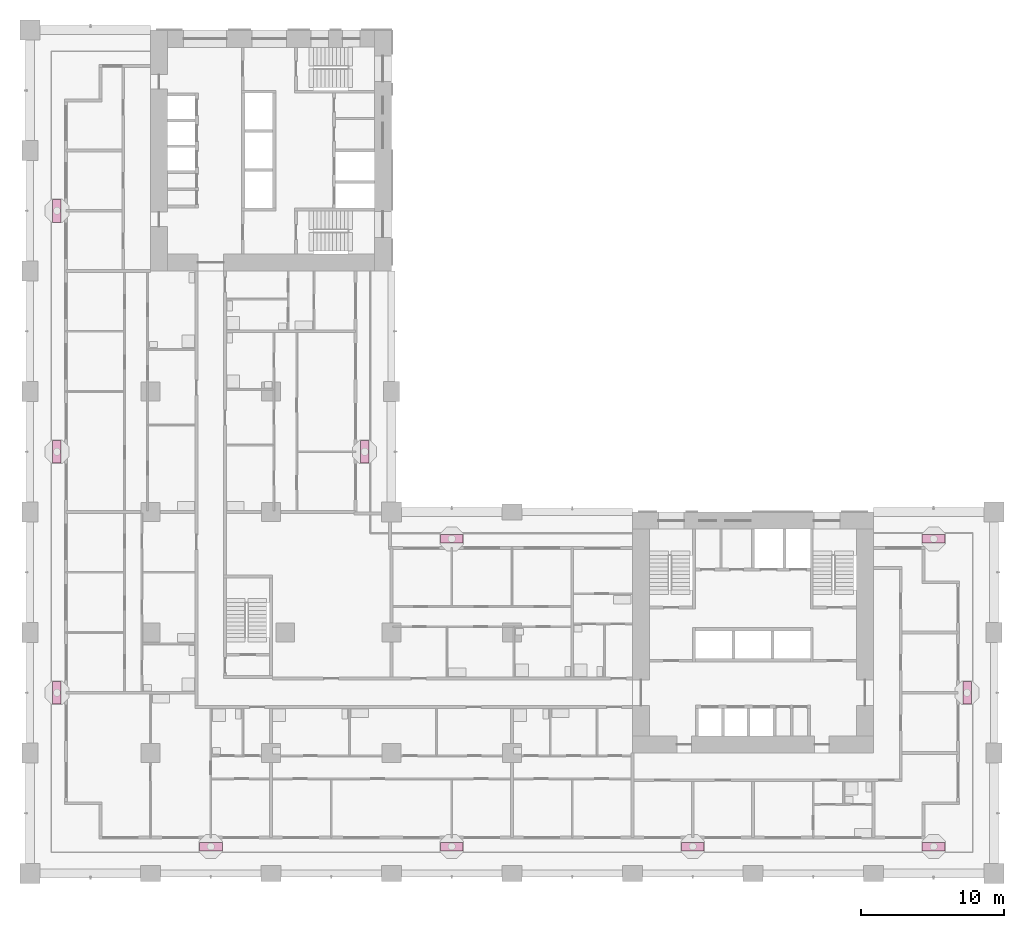
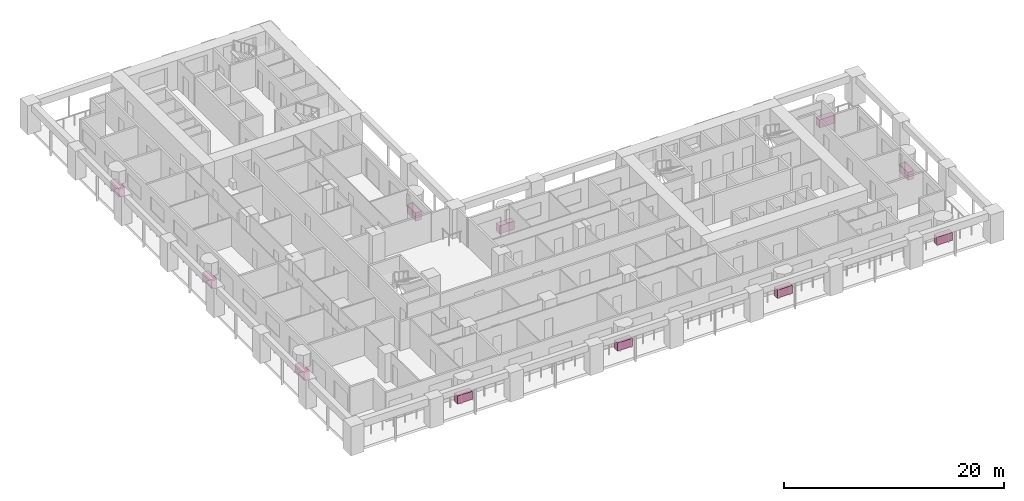
# One storey, part 19 of 20: 11 furniture elements.
"""IFC4 building model written with IfcOpenShell, lengths in metres."""

from ifc_helpers import new_model, si_unit, direction, frame, origin, origin_2d, place, context, subcontext, project, spatial, rectangle, extrude, material, element, save


model = new_model("IFC4")

# Units and contexts
model_context = context("Model", 3, precision=1e-05, world=origin(), true_north=direction((0.0, 1.0)))
body_context = subcontext(model_context, "Body", "Model", "MODEL_VIEW")
ifc_project = project(units=[si_unit("LENGTHUNIT", "METRE"), si_unit("AREAUNIT", "SQUARE_METRE"), si_unit("VOLUMEUNIT", "CUBIC_METRE"), si_unit("PLANEANGLEUNIT", "RADIAN"), si_unit("MASSUNIT", "GRAM", prefix="KILO")], contexts=[model_context])

# Site, building, storey
site_placement = place(None, origin())
site = spatial("IfcSite", under=ifc_project, at=site_placement, CompositionType="ELEMENT")
building_placement = place(site_placement, origin())
building = spatial("IfcBuilding", under=site, at=building_placement, Name="Vermilion Gate Residences", CompositionType="ELEMENT")
storey_placement = place(building_placement, frame((0.0, 0.0, 39.199951171875)))
storey = spatial("IfcBuildingStorey", under=building, at=storey_placement, Name="L08", CompositionType="ELEMENT", Elevation=39.199951171875)

# Furniture
ifc_material = material(Name="Terracotta planter", Category="masonry")
for number, where, z_axis, x_axis, name in (
    (1, (12.60009765625, 1.875, 0.0), (0.0, 0.0, 1.0), (1.0, 0.0, 0.0), "PLANTER"),
    (2, (29.39990234375, 1.875, 0.0), (0.0, 0.0, 1.0), (1.0, 0.0, 0.0), "PLANTER"),
    (3, (46.199951171875, 1.875, 0.0), (0.0, 0.0, 1.0), (1.0, 0.0, 0.0), "PLANTER"),
    (4, (63.0, 1.875, 0.0), (0.0, 0.0, 1.0), (1.0, 0.0, 0.0), "PLANTER"),
    (5, (65.324951171875, 12.60009765625, 0.0), (0.0, 0.0, 1.0), (0.0, 1.0, 0.0), "PLANTER"),
    (6, (29.39990234375, 23.324951171875, 0.0), (0.0, 0.0, 1.0), (-1.0, 0.0, 0.0), "PLANTER"),
    (7, (63.0, 23.324951171875, 0.0), (0.0, 0.0, 1.0), (-1.0, 0.0, 0.0), "PLANTER"),
    (8, (23.324951171875, 29.39990234375, 0.0), (0.0, 0.0, 1.0), (0.0, 1.0, 0.0), "PLANTER"),
    (9, (1.875, 12.60009765625, 0.0), (0.0, 0.0, 1.0), (0.0, -1.0, 0.0), "PLANTER"),
    (10, (1.875, 29.39990234375, 0.0), (0.0, 0.0, 1.0), (0.0, -1.0, 0.0), "PLANTER"),
    (11, (1.875, 46.199951171875, 0.0), (0.0, 0.0, 1.0), (0.0, -1.0, 0.0), "PLANTER"),
):
    element("IfcFurniture", number, at=place(storey_placement, frame(where, z_axis=z_axis, x_axis=x_axis)), inside=storey, material=ifc_material, Name=name, ObjectType="PLANTER", PredefinedType="USERDEFINED", context=body_context, shape_type="SweptSolid", body=[
        extrude(rectangle(XDim=1.60009765625, YDim=0.60009765625, at=origin_2d()), origin(), (0.0, 0.0, 1.0), 0.89990234375),
    ])

save(model, "model.ifc")
